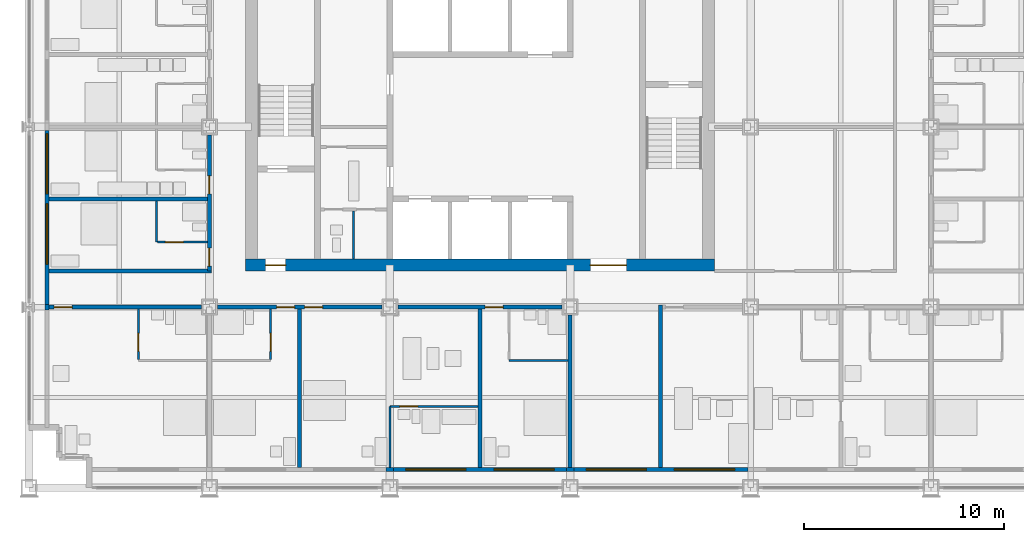
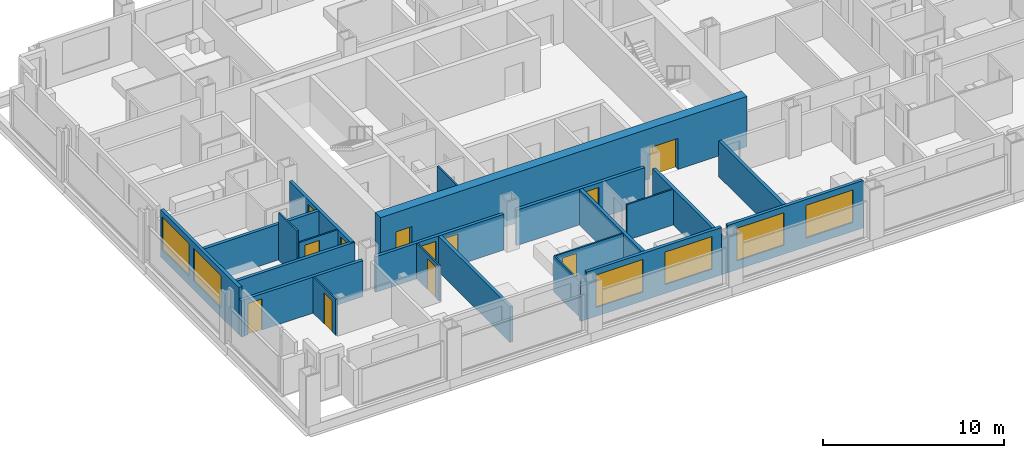
# One storey, part 10 of 18: 25 walls, 12 doors, 6 windows, 18 openings.
"""IFC4 building model written with IfcOpenShell, lengths in metres."""

from ifc_helpers import new_model, si_unit, direction, frame, frame_2d, origin, place, context, subcontext, project, spatial, rectangle, extrude, material, layer, layer_set, type_object, element, fill, save


model = new_model("IFC4")

# Units and contexts
model_context = context("Model", 3, precision=1e-05, world=origin(), true_north=direction((0.0, 1.0)))
body_context = subcontext(model_context, "Body", "Model", "MODEL_VIEW")
ifc_project = project(units=[si_unit("LENGTHUNIT", "METRE"), si_unit("AREAUNIT", "SQUARE_METRE"), si_unit("VOLUMEUNIT", "CUBIC_METRE"), si_unit("PLANEANGLEUNIT", "RADIAN"), si_unit("MASSUNIT", "GRAM", prefix="KILO")], contexts=[model_context])

# Site, building, storey
site_placement = place(None, origin())
site = spatial("IfcSite", under=ifc_project, at=site_placement, CompositionType="ELEMENT")
building_placement = place(site_placement, origin())
building = spatial("IfcBuilding", under=site, at=building_placement, Name="Loomwork Tower", CompositionType="ELEMENT")
storey_placement = place(building_placement, frame((0.0, 0.0, 55.199951171875)))
storey = spatial("IfcBuildingStorey", under=building, at=storey_placement, Name="L13", CompositionType="ELEMENT", Elevation=55.199951171875)

# Wall, openings, doors
ifc_material_1 = material(Name="Concrete 14000 psi (97 MPa)", Category="concrete")
ifc_layer_1 = layer(ifc_material_1, 0.60009765625)
ifc_layer_set_1 = layer_set([ifc_layer_1], Name="Core shear wall 600")
wall_type_1 = type_object("IfcWallType", Name="Core shear wall 600", PredefinedType="SHEAR", material=ifc_layer_set_1)
wall_1_placement = place(storey_placement, frame((10.800048828125, 11.10009765625, 0.0), z_axis=(0.0, 0.0, 1.0), x_axis=(1.0, 0.0, 0.0)))
wall_1 = element("IfcWall", 1, at=wall_1_placement, inside=storey, type_object=wall_type_1, Name="Core wall south L13", PredefinedType="SHEAR", context=body_context, shape_type="SweptSolid", body=[
    extrude(rectangle(XDim=23.39990234375, YDim=0.60009765625, at=frame_2d((11.699951171875, 0.0))), origin(), (0.0, 0.0, 1.0), 3.400146484375),
])
opening_1_placement = place(wall_1_placement, frame((1.0, 0.0, 0.0)))
opening_1 = element("IfcOpeningElement", 2, at=opening_1_placement, cuts=wall_1, Name="Opening D4", PredefinedType="OPENING", context=body_context, shape_type="SweptSolid", body=[
    extrude(rectangle(XDim=1.0, YDim=2.10009765625, at=frame_2d((0.5, 1.050048828125))), frame((0.0, 0.31005859375, 0.0), z_axis=(0.0, -1.0, 0.0), x_axis=(1.0, 0.0, 0.0)), (0.0, 0.0, 1.0), 0.6201171875),
])
opening_2_placement = place(wall_1_placement, frame((17.199951171875, 0.0, 0.0)))
opening_2 = element("IfcOpeningElement", 3, at=opening_2_placement, cuts=wall_1, Name="Opening D6", PredefinedType="OPENING", context=body_context, shape_type="SweptSolid", body=[
    extrude(rectangle(XDim=1.800048828125, YDim=2.10009765625, at=frame_2d((0.89990234375, 1.050048828125))), frame((0.0, 0.31005859375, 0.0), z_axis=(0.0, -1.0, 0.0), x_axis=(1.0, 0.0, 0.0)), (0.0, 0.0, 1.0), 0.6201171875),
])
ifc_material_2 = material(Name="Hollow metal door and frame")
door_type_1 = type_object("IfcDoorType", Name="Lobby passage double door 1800", OperationType="DOUBLE_DOOR_SINGLE_SWING", PredefinedType="DOOR", material=ifc_material_2)
door_1_placement = place(opening_2_placement, origin())
door_1 = element("IfcDoor", 4, at=door_1_placement, inside=storey, type_object=door_type_1, Name="Lobby passage door south", OperationType="DOUBLE_DOOR_SINGLE_SWING", OverallHeight=2.10009765625, OverallWidth=1.800048828125, PredefinedType="DOOR", context=body_context, shape_type="SweptSolid", body=[
    extrude(rectangle(XDim=1.800048828125, YDim=2.10009765625, at=frame_2d((0.89990234375, 1.050048828125))), frame((0.0, 0.02490234375, 0.0), z_axis=(0.0, -1.0, 0.0), x_axis=(1.0, 0.0, 0.0)), (0.0, 0.0, 1.0), 0.050048828125),
])
fill(opening_2, door_1)
ifc_material_3 = material(Name="Hollow metal door and frame")
door_type_2 = type_object("IfcDoorType", Name="Stair door 1000", OperationType="SINGLE_SWING_RIGHT", PredefinedType="DOOR", material=ifc_material_3)
door_2_placement = place(opening_1_placement, origin())
door_2 = element("IfcDoor", 5, at=door_2_placement, inside=storey, type_object=door_type_2, Name="Stair A vestibule door", OperationType="SINGLE_SWING_LEFT", OverallHeight=2.10009765625, OverallWidth=1.0, PredefinedType="DOOR", context=body_context, shape_type="SweptSolid", body=[
    extrude(rectangle(XDim=1.0, YDim=2.10009765625, at=frame_2d((0.5, 1.050048828125))), frame((0.0, 0.02490234375, 0.0), z_axis=(0.0, -1.0, 0.0), x_axis=(1.0, 0.0, 0.0)), (0.0, 0.0, 1.0), 0.050048828125),
])
fill(opening_1, door_2)

# Wall, opening, door
ifc_material_4 = material(Name="Gypsum board on steel studs, one-hour", Category="steel")
ifc_layer_2 = layer(ifc_material_4, 0.199951171875)
ifc_layer_set_2 = layer_set([ifc_layer_2], Name="Corridor wall 200")
wall_type_2 = type_object("IfcWallType", Name="Corridor wall 200", PredefinedType="PARTITIONING", material=ifc_layer_set_2)
wall_2_placement = place(storey_placement, frame((1.0, 9.0, 0.0), z_axis=(0.0, 0.0, 1.0), x_axis=(1.0, 0.0, 0.0)))
wall_2 = element("IfcWall", 6, at=wall_2_placement, inside=storey, type_object=wall_type_2, Name="South corridor wall 1", PredefinedType="PARTITIONING", context=body_context, shape_type="SweptSolid", body=[
    extrude(rectangle(XDim=7.60009765625, YDim=0.199951171875, at=frame_2d((3.800048828125, 0.0))), origin(), (0.0, 0.0, 1.0), 2.43798828125),
])
opening_3_placement = place(wall_2_placement, frame((0.25, 0.0, 0.0)))
opening_3 = element("IfcOpeningElement", 7, at=opening_3_placement, cuts=wall_2, Name="Opening D1", PredefinedType="OPENING", context=body_context, shape_type="SweptSolid", body=[
    extrude(rectangle(XDim=0.89990234375, YDim=2.10009765625, at=frame_2d((0.449951171875, 1.050048828125))), frame((0.0, 0.10986328125, 0.0), z_axis=(0.0, -1.0, 0.0), x_axis=(1.0, 0.0, 0.0)), (0.0, 0.0, 1.0), 0.219970703125),
])
ifc_material_5 = material(Name="Hollow metal door and frame")
door_type_3 = type_object("IfcDoorType", Name="Guest room entry door 900", OperationType="SINGLE_SWING_LEFT", PredefinedType="DOOR", material=ifc_material_5)
door_3_placement = place(opening_3_placement, frame((0.89990234375, 0.0, 0.0), z_axis=(0.0, 0.0, 1.0), x_axis=(-1.0, 0.0, 0.0)))
door_3 = element("IfcDoor", 8, at=door_3_placement, inside=storey, type_object=door_type_3, Name="Guest room entry door L13 1", OperationType="SINGLE_SWING_RIGHT", OverallHeight=2.10009765625, OverallWidth=0.89990234375, PredefinedType="DOOR", context=body_context, shape_type="SweptSolid", body=[
    extrude(rectangle(XDim=0.89990234375, YDim=2.10009765625, at=frame_2d((0.449951171875, 1.050048828125))), frame((0.0, 0.02490234375, 0.0), z_axis=(0.0, -1.0, 0.0), x_axis=(1.0, 0.0, 0.0)), (0.0, 0.0, 1.0), 0.050048828125),
])
fill(opening_3, door_3)

# Wall, openings, doors
wall_3_placement = place(storey_placement, frame((9.39990234375, 9.0, 0.0), z_axis=(0.0, 0.0, 1.0), x_axis=(1.0, 0.0, 0.0)))
wall_3 = element("IfcWall", 9, at=wall_3_placement, inside=storey, type_object=wall_type_2, Name="South corridor wall 2", PredefinedType="PARTITIONING", context=body_context, shape_type="SweptSolid", body=[
    extrude(rectangle(XDim=8.2001953125, YDim=0.199951171875, at=frame_2d((4.10009765625, 0.0))), origin(), (0.0, 0.0, 1.0), 2.405029296875),
])
opening_4_placement = place(wall_3_placement, frame((2.949951171875, 0.0, 0.0)))
opening_4 = element("IfcOpeningElement", 10, at=opening_4_placement, cuts=wall_3, Name="Opening D1", PredefinedType="OPENING", context=body_context, shape_type="SweptSolid", body=[
    extrude(rectangle(XDim=0.89990234375, YDim=2.10009765625, at=frame_2d((0.449951171875, 1.050048828125))), frame((0.0, 0.10986328125, 0.0), z_axis=(0.0, -1.0, 0.0), x_axis=(1.0, 0.0, 0.0)), (0.0, 0.0, 1.0), 0.219970703125),
])
opening_5_placement = place(wall_3_placement, frame((4.35009765625, 0.0, 0.0)))
opening_5 = element("IfcOpeningElement", 11, at=opening_5_placement, cuts=wall_3, Name="Opening D1", PredefinedType="OPENING", context=body_context, shape_type="SweptSolid", body=[
    extrude(rectangle(XDim=0.89990234375, YDim=2.10009765625, at=frame_2d((0.449951171875, 1.050048828125))), frame((0.0, 0.10986328125, 0.0), z_axis=(0.0, -1.0, 0.0), x_axis=(1.0, 0.0, 0.0)), (0.0, 0.0, 1.0), 0.219970703125),
])
door_4_placement = place(opening_4_placement, frame((0.89990234375, 0.0, 0.0), z_axis=(0.0, 0.0, 1.0), x_axis=(-1.0, 0.0, 0.0)))
door_4 = element("IfcDoor", 12, at=door_4_placement, inside=storey, type_object=door_type_3, Name="Guest room entry door L13 2", OperationType="SINGLE_SWING_LEFT", OverallHeight=2.10009765625, OverallWidth=0.89990234375, PredefinedType="DOOR", context=body_context, shape_type="SweptSolid", body=[
    extrude(rectangle(XDim=0.89990234375, YDim=2.10009765625, at=frame_2d((0.449951171875, 1.050048828125))), frame((0.0, 0.02490234375, 0.0), z_axis=(0.0, -1.0, 0.0), x_axis=(1.0, 0.0, 0.0)), (0.0, 0.0, 1.0), 0.050048828125),
])
fill(opening_4, door_4)
door_5_placement = place(opening_5_placement, frame((0.89990234375, 0.0, 0.0), z_axis=(0.0, 0.0, 1.0), x_axis=(-1.0, 0.0, 0.0)))
door_5 = element("IfcDoor", 13, at=door_5_placement, inside=storey, type_object=door_type_3, Name="Guest room entry door L13 3", OperationType="SINGLE_SWING_RIGHT", OverallHeight=2.10009765625, OverallWidth=0.89990234375, PredefinedType="DOOR", context=body_context, shape_type="SweptSolid", body=[
    extrude(rectangle(XDim=0.89990234375, YDim=2.10009765625, at=frame_2d((0.449951171875, 1.050048828125))), frame((0.0, 0.02490234375, 0.0), z_axis=(0.0, -1.0, 0.0), x_axis=(1.0, 0.0, 0.0)), (0.0, 0.0, 1.0), 0.050048828125),
])
fill(opening_5, door_5)

# Wall, opening, door
wall_4_placement = place(storey_placement, frame((18.39990234375, 9.0, 0.0), z_axis=(0.0, 0.0, 1.0), x_axis=(1.0, 0.0, 0.0)))
wall_4 = element("IfcWall", 14, at=wall_4_placement, inside=storey, type_object=wall_type_2, Name="South corridor wall 3", PredefinedType="PARTITIONING", context=body_context, shape_type="SweptSolid", body=[
    extrude(rectangle(XDim=8.2001953125, YDim=0.199951171875, at=frame_2d((4.10009765625, 0.0))), origin(), (0.0, 0.0, 1.0), 2.405029296875),
])
opening_6_placement = place(wall_4_placement, frame((4.35009765625, 0.0, 0.0)))
opening_6 = element("IfcOpeningElement", 15, at=opening_6_placement, cuts=wall_4, Name="Opening D1", PredefinedType="OPENING", context=body_context, shape_type="SweptSolid", body=[
    extrude(rectangle(XDim=0.89990234375, YDim=2.10009765625, at=frame_2d((0.449951171875, 1.050048828125))), frame((0.0, 0.10986328125, 0.0), z_axis=(0.0, -1.0, 0.0), x_axis=(1.0, 0.0, 0.0)), (0.0, 0.0, 1.0), 0.219970703125),
])
door_6_placement = place(opening_6_placement, frame((0.89990234375, 0.0, 0.0), z_axis=(0.0, 0.0, 1.0), x_axis=(-1.0, 0.0, 0.0)))
door_6 = element("IfcDoor", 16, at=door_6_placement, inside=storey, type_object=door_type_3, Name="Guest room entry door L13 4", OperationType="SINGLE_SWING_RIGHT", OverallHeight=2.10009765625, OverallWidth=0.89990234375, PredefinedType="DOOR", context=body_context, shape_type="SweptSolid", body=[
    extrude(rectangle(XDim=0.89990234375, YDim=2.10009765625, at=frame_2d((0.449951171875, 1.050048828125))), frame((0.0, 0.02490234375, 0.0), z_axis=(0.0, -1.0, 0.0), x_axis=(1.0, 0.0, 0.0)), (0.0, 0.0, 1.0), 0.050048828125),
])
fill(opening_6, door_6)

# Wall, openings, doors
wall_5_placement = place(storey_placement, frame((9.0, 10.800048828125, 0.0), z_axis=(0.0, 0.0, 1.0), x_axis=(0.0, 1.0, 0.0)))
wall_5 = element("IfcWall", 17, at=wall_5_placement, inside=storey, type_object=wall_type_2, Name="West corridor wall 1", PredefinedType="PARTITIONING", context=body_context, shape_type="SweptSolid", body=[
    extrude(rectangle(XDim=6.800048828125, YDim=0.199951171875, at=frame_2d((3.39990234375, 0.0))), origin(), (0.0, 0.0, 1.0), 2.405029296875),
])
opening_7_placement = place(wall_5_placement, frame((0.25, 0.0, 0.0)))
opening_7 = element("IfcOpeningElement", 18, at=opening_7_placement, cuts=wall_5, Name="Opening D1", PredefinedType="OPENING", context=body_context, shape_type="SweptSolid", body=[
    extrude(rectangle(XDim=0.89990234375, YDim=2.10009765625, at=frame_2d((0.449951171875, 1.050048828125))), frame((0.0, 0.10986328125, 0.0), z_axis=(0.0, -1.0, 0.0), x_axis=(1.0, 0.0, 0.0)), (0.0, 0.0, 1.0), 0.219970703125),
])
opening_8_placement = place(wall_5_placement, frame((3.85009765625, 0.0, 0.0)))
opening_8 = element("IfcOpeningElement", 19, at=opening_8_placement, cuts=wall_5, Name="Opening D1", PredefinedType="OPENING", context=body_context, shape_type="SweptSolid", body=[
    extrude(rectangle(XDim=0.89990234375, YDim=2.10009765625, at=frame_2d((0.449951171875, 1.050048828125))), frame((0.0, 0.10986328125, 0.0), z_axis=(0.0, -1.0, 0.0), x_axis=(1.0, 0.0, 0.0)), (0.0, 0.0, 1.0), 0.219970703125),
])
door_7_placement = place(opening_7_placement, origin())
door_7 = element("IfcDoor", 20, at=door_7_placement, inside=storey, type_object=door_type_3, Name="Guest room entry door L13 15", OperationType="SINGLE_SWING_LEFT", OverallHeight=2.10009765625, OverallWidth=0.89990234375, PredefinedType="DOOR", context=body_context, shape_type="SweptSolid", body=[
    extrude(rectangle(XDim=0.89990234375, YDim=2.10009765625, at=frame_2d((0.449951171875, 1.050048828125))), frame((0.0, 0.02490234375, 0.0), z_axis=(0.0, -1.0, 0.0), x_axis=(1.0, 0.0, 0.0)), (0.0, 0.0, 1.0), 0.050048828125),
])
fill(opening_7, door_7)
door_8_placement = place(opening_8_placement, origin())
door_8 = element("IfcDoor", 21, at=door_8_placement, inside=storey, type_object=door_type_3, Name="Guest room entry door L13 16", OperationType="SINGLE_SWING_LEFT", OverallHeight=2.10009765625, OverallWidth=0.89990234375, PredefinedType="DOOR", context=body_context, shape_type="SweptSolid", body=[
    extrude(rectangle(XDim=0.89990234375, YDim=2.10009765625, at=frame_2d((0.449951171875, 1.050048828125))), frame((0.0, 0.02490234375, 0.0), z_axis=(0.0, -1.0, 0.0), x_axis=(1.0, 0.0, 0.0)), (0.0, 0.0, 1.0), 0.050048828125),
])
fill(opening_8, door_8)

# Wall
wall_6_placement = place(storey_placement, frame((1.0, 10.800048828125, 0.0), z_axis=(0.0, 0.0, 1.0), x_axis=(1.0, 0.0, 0.0)))
element("IfcWall", 22, at=wall_6_placement, inside=storey, type_object=wall_type_2, Name="West band end wall S", PredefinedType="PARTITIONING", context=body_context, shape_type="SweptSolid", body=[
    extrude(rectangle(XDim=8.10009765625, YDim=0.199951171875, at=frame_2d((4.050048828125, 0.0))), origin(), (0.0, 0.0, 1.0), 2.404052734375),
])

# Wall, opening, door
ifc_material_6 = material(Name="Cement board on steel studs", Category="steel")
ifc_layer_3 = layer(ifc_material_6, 0.10009765625)
ifc_layer_set_3 = layer_set([ifc_layer_3], Name="En-suite partition 100")
wall_type_3 = type_object("IfcWallType", Name="En-suite partition 100", PredefinedType="PARTITIONING", material=ifc_layer_set_3)
wall_7_placement = place(storey_placement, frame((5.449951171875, 8.89990234375, 0.0), z_axis=(0.0, 0.0, 1.0), x_axis=(0.0, -1.0, 0.0)))
wall_7 = element("IfcWall", 23, at=wall_7_placement, inside=storey, type_object=wall_type_3, Name="En-suite side wall L13 room 1", PredefinedType="PARTITIONING", context=body_context, shape_type="SweptSolid", body=[
    extrude(rectangle(XDim=2.5, YDim=0.10009765625, at=frame_2d((1.25, 0.0))), origin(), (0.0, 0.0, 1.0), 2.43798828125),
])
opening_9_placement = place(wall_7_placement, frame((1.199951171875, 0.0, 0.0)))
opening_9 = element("IfcOpeningElement", 24, at=opening_9_placement, cuts=wall_7, Name="Opening D3", PredefinedType="OPENING", context=body_context, shape_type="SweptSolid", body=[
    extrude(rectangle(XDim=0.89990234375, YDim=2.10009765625, at=frame_2d((0.449951171875, 1.050048828125))), frame((0.0, 0.06005859375, 0.0), z_axis=(0.0, -1.0, 0.0), x_axis=(1.0, 0.0, 0.0)), (0.0, 0.0, 1.0), 0.1201171875),
])
ifc_material_7 = material(Name="Hollow metal door and frame")
door_type_4 = type_object("IfcDoorType", Name="Accessible en-suite door 900", OperationType="SLIDING_TO_LEFT", PredefinedType="DOOR", material=ifc_material_7)
door_9_placement = place(opening_9_placement, origin())
door_9 = element("IfcDoor", 25, at=door_9_placement, inside=storey, type_object=door_type_4, Name="Accessible en-suite door room 1", OperationType="SLIDING_TO_LEFT", OverallHeight=2.10009765625, OverallWidth=0.89990234375, PredefinedType="DOOR", context=body_context, shape_type="SweptSolid", body=[
    extrude(rectangle(XDim=0.89990234375, YDim=2.10009765625, at=frame_2d((0.449951171875, 1.050048828125))), frame((0.0, 0.02490234375, 0.0), z_axis=(0.0, -1.0, 0.0), x_axis=(1.0, 0.0, 0.0)), (0.0, 0.0, 1.0), 0.050048828125),
])
fill(opening_9, door_9)

wall_8_placement = place(storey_placement, frame((12.050048828125, 8.89990234375, 0.0), z_axis=(0.0, 0.0, 1.0), x_axis=(0.0, -1.0, 0.0)))
wall_8 = element("IfcWall", 26, at=wall_8_placement, inside=storey, type_object=wall_type_3, Name="En-suite side wall L13 room 2", PredefinedType="PARTITIONING", context=body_context, shape_type="SweptSolid", body=[
    extrude(rectangle(XDim=2.5, YDim=0.10009765625, at=frame_2d((1.25, 0.0))), origin(), (0.0, 0.0, 1.0), 2.404052734375),
])
opening_10_placement = place(wall_8_placement, frame((1.199951171875, 0.0, 0.0)))
opening_10 = element("IfcOpeningElement", 27, at=opening_10_placement, cuts=wall_8, Name="Opening D3", PredefinedType="OPENING", context=body_context, shape_type="SweptSolid", body=[
    extrude(rectangle(XDim=0.89990234375, YDim=2.10009765625, at=frame_2d((0.449951171875, 1.050048828125))), frame((0.0, 0.06005859375, 0.0), z_axis=(0.0, -1.0, 0.0), x_axis=(1.0, 0.0, 0.0)), (0.0, 0.0, 1.0), 0.1201171875),
])
door_10_placement = place(opening_10_placement, origin())
door_10 = element("IfcDoor", 28, at=door_10_placement, inside=storey, type_object=door_type_4, Name="Accessible en-suite door room 2", OperationType="SLIDING_TO_LEFT", OverallHeight=2.10009765625, OverallWidth=0.89990234375, PredefinedType="DOOR", context=body_context, shape_type="SweptSolid", body=[
    extrude(rectangle(XDim=0.89990234375, YDim=2.10009765625, at=frame_2d((0.449951171875, 1.050048828125))), frame((0.0, 0.02490234375, 0.0), z_axis=(0.0, -1.0, 0.0), x_axis=(1.0, 0.0, 0.0)), (0.0, 0.0, 1.0), 0.050048828125),
])
fill(opening_10, door_10)

wall_9_placement = place(storey_placement, frame((18.0, 4.050048828125, 0.0), z_axis=(0.0, 0.0, 1.0), x_axis=(1.0, 0.0, 0.0)))
wall_9 = element("IfcWall", 29, at=wall_9_placement, inside=storey, type_object=wall_type_3, Name="Spa bathroom wall L13 room 3", PredefinedType="PARTITIONING", context=body_context, shape_type="SweptSolid", body=[
    extrude(rectangle(XDim=4.39990234375, YDim=0.10009765625, at=frame_2d((2.199951171875, 0.0))), origin(), (0.0, 0.0, 1.0), 2.404052734375),
])
opening_11_placement = place(wall_9_placement, frame((0.5, 0.0, 0.0)))
opening_11 = element("IfcOpeningElement", 30, at=opening_11_placement, cuts=wall_9, Name="Opening D2", PredefinedType="OPENING", context=body_context, shape_type="SweptSolid", body=[
    extrude(rectangle(XDim=0.89990234375, YDim=2.10009765625, at=frame_2d((0.449951171875, 1.050048828125))), frame((0.0, 0.06005859375, 0.0), z_axis=(0.0, -1.0, 0.0), x_axis=(1.0, 0.0, 0.0)), (0.0, 0.0, 1.0), 0.1201171875),
])
ifc_material_8 = material(Name="Hollow metal door and frame")
door_type_5 = type_object("IfcDoorType", Name="En-suite door 900", OperationType="SINGLE_SWING_LEFT", PredefinedType="DOOR", material=ifc_material_8)
door_11_placement = place(opening_11_placement, frame((0.89990234375, 0.0, 0.0), z_axis=(0.0, 0.0, 1.0), x_axis=(-1.0, 0.0, 0.0)))
door_11 = element("IfcDoor", 31, at=door_11_placement, inside=storey, type_object=door_type_5, Name="Spa bathroom door room 3", OperationType="SINGLE_SWING_RIGHT", OverallHeight=2.10009765625, OverallWidth=0.89990234375, PredefinedType="DOOR", context=body_context, shape_type="SweptSolid", body=[
    extrude(rectangle(XDim=0.89990234375, YDim=2.10009765625, at=frame_2d((0.449951171875, 1.050048828125))), frame((0.0, 0.02490234375, 0.0), z_axis=(0.0, -1.0, 0.0), x_axis=(1.0, 0.0, 0.0)), (0.0, 0.0, 1.0), 0.050048828125),
])
fill(opening_11, door_11)

# Walls
wall_10_placement = place(storey_placement, frame((18.0, 4.050048828125, 0.0), z_axis=(0.0, 0.0, 1.0), x_axis=(0.0, -1.0, 0.0)))
element("IfcWall", 32, at=wall_10_placement, inside=storey, type_object=wall_type_3, Name="Spa bathroom side wall L13 room 3", PredefinedType="PARTITIONING", context=body_context, shape_type="SweptSolid", body=[
    extrude(rectangle(XDim=3.050048828125, YDim=0.10009765625, at=frame_2d((1.52490234375, 0.0))), origin(), (0.0, 0.0, 1.0), 2.405029296875),
])
wall_11_placement = place(storey_placement, frame((23.949951171875, 6.35009765625, 0.0), z_axis=(0.0, 0.0, 1.0), x_axis=(1.0, 0.0, 0.0)))
element("IfcWall", 33, at=wall_11_placement, inside=storey, type_object=wall_type_3, Name="En-suite wall L13 room 4", PredefinedType="PARTITIONING", context=body_context, shape_type="SweptSolid", body=[
    extrude(rectangle(XDim=2.949951171875, YDim=0.10009765625, at=frame_2d((1.47509765625, 0.0))), origin(), (0.0, 0.0, 1.0), 2.404052734375),
])
wall_12_placement = place(storey_placement, frame((6.35009765625, 12.25, 0.0), z_axis=(0.0, 0.0, 1.0), x_axis=(0.0, 1.0, 0.0)))
element("IfcWall", 34, at=wall_12_placement, inside=storey, type_object=wall_type_3, Name="En-suite wall L13 room 15", PredefinedType="PARTITIONING", context=body_context, shape_type="SweptSolid", body=[
    extrude(rectangle(XDim=2.050048828125, YDim=0.10009765625, at=frame_2d((1.02490234375, 0.0))), origin(), (0.0, 0.0, 1.0), 3.199951171875),
])

# Wall, opening, door
wall_13_placement = place(storey_placement, frame((8.89990234375, 12.25, 0.0), z_axis=(0.0, 0.0, 1.0), x_axis=(-1.0, 0.0, 0.0)))
wall_13 = element("IfcWall", 35, at=wall_13_placement, inside=storey, type_object=wall_type_3, Name="En-suite side wall L13 room 15", PredefinedType="PARTITIONING", context=body_context, shape_type="SweptSolid", body=[
    extrude(rectangle(XDim=2.5, YDim=0.10009765625, at=frame_2d((1.25, 0.0))), origin(), (0.0, 0.0, 1.0), 2.404052734375),
])
opening_12_placement = place(wall_13_placement, frame((1.199951171875, 0.0, 0.0)))
opening_12 = element("IfcOpeningElement", 36, at=opening_12_placement, cuts=wall_13, Name="Opening D2", PredefinedType="OPENING", context=body_context, shape_type="SweptSolid", body=[
    extrude(rectangle(XDim=0.89990234375, YDim=2.10009765625, at=frame_2d((0.449951171875, 1.050048828125))), frame((0.0, 0.06005859375, 0.0), z_axis=(0.0, -1.0, 0.0), x_axis=(1.0, 0.0, 0.0)), (0.0, 0.0, 1.0), 0.1201171875),
])
door_12_placement = place(opening_12_placement, frame((0.89990234375, 0.0, 0.0), z_axis=(0.0, 0.0, 1.0), x_axis=(-1.0, 0.0, 0.0)))
door_12 = element("IfcDoor", 37, at=door_12_placement, inside=storey, type_object=door_type_5, Name="En-suite door room 15", OperationType="SINGLE_SWING_LEFT", OverallHeight=2.10009765625, OverallWidth=0.89990234375, PredefinedType="DOOR", context=body_context, shape_type="SweptSolid", body=[
    extrude(rectangle(XDim=0.89990234375, YDim=2.10009765625, at=frame_2d((0.449951171875, 1.050048828125))), frame((0.0, 0.02490234375, 0.0), z_axis=(0.0, -1.0, 0.0), x_axis=(1.0, 0.0, 0.0)), (0.0, 0.0, 1.0), 0.050048828125),
])
fill(opening_12, door_12)

# Walls
wall_14_placement = place(storey_placement, frame((16.199951171875, 11.39990234375, 0.0), z_axis=(0.0, 0.0, 1.0), x_axis=(0.0, 1.0, 0.0)))
element("IfcWall", 38, at=wall_14_placement, inside=storey, type_object=wall_type_3, Name="Back-of-house partition L13 2", PredefinedType="PARTITIONING", context=body_context, shape_type="SweptSolid", body=[
    extrude(rectangle(XDim=2.400146484375, YDim=0.10009765625, at=frame_2d((1.2001953125, 0.0))), origin(), (0.0, 0.0, 1.0), 3.199951171875),
])
ifc_material_9 = material(Name="Gypsum board on steel studs, acoustic", Category="steel")
ifc_layer_4 = layer(ifc_material_9, 0.199951171875)
ifc_layer_set_4 = layer_set([ifc_layer_4], Name="Guest room party wall 200")
wall_type_4 = type_object("IfcWallType", Name="Guest room party wall 200", PredefinedType="PARTITIONING", material=ifc_layer_set_4)
for number, where, z_axis, x_axis, name in (
    (39, (13.5, 8.89990234375, 0.0), (0.0, 0.0, 1.0), (0.0, -1.0, 0.0), "Guest room party wall S 13.5"),
    (40, (22.5, 8.89990234375, 0.0), (0.0, 0.0, 1.0), (0.0, -1.0, 0.0), "Guest room party wall S 22.5"),
):
    element("IfcWall", number, at=place(storey_placement, frame(where, z_axis=z_axis, x_axis=x_axis)), inside=storey, type_object=wall_type_4, Name=name, PredefinedType="PARTITIONING", context=body_context, shape_type="SweptSolid", body=[
        extrude(rectangle(XDim=7.89990234375, YDim=0.199951171875, at=frame_2d((3.949951171875, 0.0))), origin(), (0.0, 0.0, 1.0), 2.404052734375),
    ])
wall_15_placement = place(storey_placement, frame((27.0, 8.60009765625, 0.0), z_axis=(0.0, 0.0, 1.0), x_axis=(0.0, -1.0, 0.0)))
element("IfcWall", 41, at=wall_15_placement, inside=storey, type_object=wall_type_4, Name="Guest room party wall S 27", PredefinedType="PARTITIONING", context=body_context, shape_type="SweptSolid", body=[
    extrude(rectangle(XDim=7.60009765625, YDim=0.199951171875, at=frame_2d((3.800048828125, 0.0))), origin(), (0.0, 0.0, 1.0), 2.405029296875),
])
wall_16_placement = place(storey_placement, frame((31.5, 9.10009765625, 0.0), z_axis=(0.0, 0.0, 1.0), x_axis=(0.0, -1.0, 0.0)))
element("IfcWall", 42, at=wall_16_placement, inside=storey, type_object=wall_type_4, Name="Guest room party wall S 31.5", PredefinedType="PARTITIONING", context=body_context, shape_type="SweptSolid", body=[
    extrude(rectangle(XDim=8.10009765625, YDim=0.199951171875, at=frame_2d((4.050048828125, 0.0))), origin(), (0.0, 0.0, 1.0), 2.404052734375),
])
wall_17_placement = place(storey_placement, frame((8.89990234375, 14.39990234375, 0.0), z_axis=(0.0, 0.0, 1.0), x_axis=(-1.0, 0.0, 0.0)))
element("IfcWall", 43, at=wall_17_placement, inside=storey, type_object=wall_type_4, Name="Guest room party wall W 14.4", PredefinedType="PARTITIONING", context=body_context, shape_type="SweptSolid", body=[
    extrude(rectangle(XDim=7.89990234375, YDim=0.199951171875, at=frame_2d((3.949951171875, 0.0))), origin(), (0.0, 0.0, 1.0), 2.404052734375),
])
ifc_material_10 = material(Name="Insulated steel stud wall with gypsum lining", Category="steel")
ifc_layer_5 = layer(ifc_material_10, 0.199951171875)
ifc_layer_set_5 = layer_set([ifc_layer_5], Name="Inner skin wall 200")
wall_type_5 = type_object("IfcWallType", Name="Inner skin wall 200", PredefinedType="SOLIDWALL", material=ifc_layer_set_5)
wall_18_placement = place(storey_placement, frame((17.80615234375, 0.89990234375, 0.0), z_axis=(0.0, 0.0, 1.0), x_axis=(1.0, 0.0, 0.0)))
element("IfcWall", 44, at=wall_18_placement, inside=storey, type_object=wall_type_5, Name="Inner skin wall S bay 4", PredefinedType="SOLIDWALL", context=body_context, shape_type="SweptSolid", body=[
    extrude(rectangle(XDim=0.3876953125, YDim=0.199951171875, at=frame_2d((0.19384765625, 0.0))), origin(), (0.0, 0.0, 1.0), 2.404052734375),
])

# Wall, openings, windows
wall_19_placement = place(storey_placement, frame((18.19384765625, 0.89990234375, 0.0), z_axis=(0.0, 0.0, 1.0), x_axis=(1.0, 0.0, 0.0)))
wall_19 = element("IfcWall", 45, at=wall_19_placement, inside=storey, type_object=wall_type_5, Name="Inner skin wall S bay 5", PredefinedType="SOLIDWALL", context=body_context, shape_type="SweptSolid", body=[
    extrude(rectangle(XDim=8.6123046875, YDim=0.199951171875, at=frame_2d((4.30615234375, 0.0))), origin(), (0.0, 0.0, 1.0), 3.199951171875),
])
opening_13_placement = place(wall_19_placement, frame((0.606201171875, 0.0, 0.60009765625)))
opening_13 = element("IfcOpeningElement", 46, at=opening_13_placement, cuts=wall_19, Name="Opening CH1", PredefinedType="OPENING", context=body_context, shape_type="SweptSolid", body=[
    extrude(rectangle(XDim=3.0, YDim=2.199951171875, at=frame_2d((1.5, 1.10009765625))), frame((0.0, 0.10986328125, 0.0), z_axis=(0.0, -1.0, 0.0), x_axis=(1.0, 0.0, 0.0)), (0.0, 0.0, 1.0), 0.219970703125),
])
opening_14_placement = place(wall_19_placement, frame((5.006103515625, 0.0, 0.60009765625)))
opening_14 = element("IfcOpeningElement", 47, at=opening_14_placement, cuts=wall_19, Name="Opening CH1", PredefinedType="OPENING", context=body_context, shape_type="SweptSolid", body=[
    extrude(rectangle(XDim=3.0, YDim=2.199951171875, at=frame_2d((1.5, 1.10009765625))), frame((0.0, 0.10986328125, 0.0), z_axis=(0.0, -1.0, 0.0), x_axis=(1.0, 0.0, 0.0)), (0.0, 0.0, 1.0), 0.219970703125),
])
ifc_material_11 = material(Name="Aluminium frame with clear insulated glass", Category="aluminium")
window_type = type_object("IfcWindowType", Name="Chicago window 3000", PartitioningType="TRIPLE_PANEL_VERTICAL", PredefinedType="WINDOW", material=ifc_material_11)
window_1_placement = place(opening_13_placement, origin())
window_1 = element("IfcWindow", 48, at=window_1_placement, inside=storey, type_object=window_type, Name="Chicago window L13 bay 3", OverallHeight=2.199951171875, OverallWidth=3.0, PartitioningType="TRIPLE_PANEL_VERTICAL", PredefinedType="WINDOW", context=body_context, shape_type="SweptSolid", body=[
    extrude(rectangle(XDim=3.0, YDim=2.199951171875, at=frame_2d((1.5, 1.10009765625))), frame((0.0, 0.030029296875, 0.0), z_axis=(0.0, -1.0, 0.0), x_axis=(1.0, 0.0, 0.0)), (0.0, 0.0, 1.0), 0.06005859375),
])
fill(opening_13, window_1)
window_2_placement = place(opening_14_placement, origin())
window_2 = element("IfcWindow", 49, at=window_2_placement, inside=storey, type_object=window_type, Name="Chicago window L13 bay 3", OverallHeight=2.199951171875, OverallWidth=3.0, PartitioningType="TRIPLE_PANEL_VERTICAL", PredefinedType="WINDOW", context=body_context, shape_type="SweptSolid", body=[
    extrude(rectangle(XDim=3.0, YDim=2.199951171875, at=frame_2d((1.5, 1.10009765625))), frame((0.0, 0.030029296875, 0.0), z_axis=(0.0, -1.0, 0.0), x_axis=(1.0, 0.0, 0.0)), (0.0, 0.0, 1.0), 0.06005859375),
])
fill(opening_14, window_2)

# Wall
wall_20_placement = place(storey_placement, frame((26.80615234375, 0.89990234375, 0.0), z_axis=(0.0, 0.0, 1.0), x_axis=(1.0, 0.0, 0.0)))
element("IfcWall", 50, at=wall_20_placement, inside=storey, type_object=wall_type_5, Name="Inner skin wall S bay 6", PredefinedType="SOLIDWALL", context=body_context, shape_type="SweptSolid", body=[
    extrude(rectangle(XDim=0.3876953125, YDim=0.199951171875, at=frame_2d((0.19384765625, 0.0))), origin(), (0.0, 0.0, 1.0), 2.404052734375),
])

# Wall, openings, windows
wall_21_placement = place(storey_placement, frame((27.19384765625, 0.89990234375, 0.0), z_axis=(0.0, 0.0, 1.0), x_axis=(1.0, 0.0, 0.0)))
wall_21 = element("IfcWall", 51, at=wall_21_placement, inside=storey, type_object=wall_type_5, Name="Inner skin wall S bay 7", PredefinedType="SOLIDWALL", context=body_context, shape_type="SweptSolid", body=[
    extrude(rectangle(XDim=8.670654296875, YDim=0.199951171875, at=frame_2d((4.33544921875, 0.0))), origin(), (0.0, 0.0, 1.0), 3.199951171875),
])
opening_15_placement = place(wall_21_placement, frame((0.606201171875, 0.0, 0.60009765625)))
opening_15 = element("IfcOpeningElement", 52, at=opening_15_placement, cuts=wall_21, Name="Opening CH1", PredefinedType="OPENING", context=body_context, shape_type="SweptSolid", body=[
    extrude(rectangle(XDim=3.0, YDim=2.199951171875, at=frame_2d((1.5, 1.10009765625))), frame((0.0, 0.10986328125, 0.0), z_axis=(0.0, -1.0, 0.0), x_axis=(1.0, 0.0, 0.0)), (0.0, 0.0, 1.0), 0.219970703125),
])
opening_16_placement = place(wall_21_placement, frame((5.006103515625, 0.0, 0.60009765625)))
opening_16 = element("IfcOpeningElement", 53, at=opening_16_placement, cuts=wall_21, Name="Opening CH1", PredefinedType="OPENING", context=body_context, shape_type="SweptSolid", body=[
    extrude(rectangle(XDim=3.0, YDim=2.199951171875, at=frame_2d((1.5, 1.10009765625))), frame((0.0, 0.10986328125, 0.0), z_axis=(0.0, -1.0, 0.0), x_axis=(1.0, 0.0, 0.0)), (0.0, 0.0, 1.0), 0.219970703125),
])
window_3_placement = place(opening_15_placement, origin())
window_3 = element("IfcWindow", 54, at=window_3_placement, inside=storey, type_object=window_type, Name="Chicago window L13 bay 4", OverallHeight=2.199951171875, OverallWidth=3.0, PartitioningType="TRIPLE_PANEL_VERTICAL", PredefinedType="WINDOW", context=body_context, shape_type="SweptSolid", body=[
    extrude(rectangle(XDim=3.0, YDim=2.199951171875, at=frame_2d((1.5, 1.10009765625))), frame((0.0, 0.030029296875, 0.0), z_axis=(0.0, -1.0, 0.0), x_axis=(1.0, 0.0, 0.0)), (0.0, 0.0, 1.0), 0.06005859375),
])
fill(opening_15, window_3)
window_4_placement = place(opening_16_placement, origin())
window_4 = element("IfcWindow", 55, at=window_4_placement, inside=storey, type_object=window_type, Name="Chicago window L13 bay 4", OverallHeight=2.199951171875, OverallWidth=3.0, PartitioningType="TRIPLE_PANEL_VERTICAL", PredefinedType="WINDOW", context=body_context, shape_type="SweptSolid", body=[
    extrude(rectangle(XDim=3.0, YDim=2.199951171875, at=frame_2d((1.5, 1.10009765625))), frame((0.0, 0.030029296875, 0.0), z_axis=(0.0, -1.0, 0.0), x_axis=(1.0, 0.0, 0.0)), (0.0, 0.0, 1.0), 0.06005859375),
])
fill(opening_16, window_4)

# Wall
wall_22_placement = place(storey_placement, frame((0.89990234375, 8.86474609375, 0.0), z_axis=(0.0, 0.0, 1.0), x_axis=(0.0, 1.0, 0.0)))
element("IfcWall", 56, at=wall_22_placement, inside=storey, type_object=wall_type_5, Name="Inner skin wall W bay 4", PredefinedType="SOLIDWALL", context=body_context, shape_type="SweptSolid", body=[
    extrude(rectangle(XDim=0.2705078125, YDim=0.199951171875, at=frame_2d((0.13525390625, 0.0))), origin(), (0.0, 0.0, 1.0), 2.43798828125),
])

# Wall, openings, windows
wall_23_placement = place(storey_placement, frame((0.89990234375, 9.13525390625, 0.0), z_axis=(0.0, 0.0, 1.0), x_axis=(0.0, 1.0, 0.0)))
wall_23 = element("IfcWall", 57, at=wall_23_placement, inside=storey, type_object=wall_type_5, Name="Inner skin wall W bay 5", PredefinedType="SOLIDWALL", context=body_context, shape_type="SweptSolid", body=[
    extrude(rectangle(XDim=8.6708984375, YDim=0.199951171875, at=frame_2d((4.33544921875, 0.0))), origin(), (0.0, 0.0, 1.0), 3.199951171875),
])
opening_17_placement = place(wall_23_placement, frame((2.0146484375, 0.0, 0.60009765625)))
opening_17 = element("IfcOpeningElement", 58, at=opening_17_placement, cuts=wall_23, Name="Opening CH1", PredefinedType="OPENING", context=body_context, shape_type="SweptSolid", body=[
    extrude(rectangle(XDim=3.0, YDim=2.199951171875, at=frame_2d((1.5, 1.10009765625))), frame((0.0, 0.10986328125, 0.0), z_axis=(0.0, -1.0, 0.0), x_axis=(1.0, 0.0, 0.0)), (0.0, 0.0, 1.0), 0.219970703125),
])
opening_18_placement = place(wall_23_placement, frame((5.5146484375, 0.0, 0.60009765625)))
opening_18 = element("IfcOpeningElement", 59, at=opening_18_placement, cuts=wall_23, Name="Opening CH1", PredefinedType="OPENING", context=body_context, shape_type="SweptSolid", body=[
    extrude(rectangle(XDim=3.0, YDim=2.199951171875, at=frame_2d((1.5, 1.10009765625))), frame((0.0, 0.10986328125, 0.0), z_axis=(0.0, -1.0, 0.0), x_axis=(1.0, 0.0, 0.0)), (0.0, 0.0, 1.0), 0.219970703125),
])
window_5_placement = place(opening_17_placement, origin())
window_5 = element("IfcWindow", 60, at=window_5_placement, inside=storey, type_object=window_type, Name="Chicago window L13 bay 13", OverallHeight=2.199951171875, OverallWidth=3.0, PartitioningType="TRIPLE_PANEL_VERTICAL", PredefinedType="WINDOW", context=body_context, shape_type="SweptSolid", body=[
    extrude(rectangle(XDim=3.0, YDim=2.199951171875, at=frame_2d((1.5, 1.10009765625))), frame((0.0, 0.030029296875, 0.0), z_axis=(0.0, -1.0, 0.0), x_axis=(1.0, 0.0, 0.0)), (0.0, 0.0, 1.0), 0.06005859375),
])
fill(opening_17, window_5)
window_6_placement = place(opening_18_placement, origin())
window_6 = element("IfcWindow", 61, at=window_6_placement, inside=storey, type_object=window_type, Name="Chicago window L13 bay 13", OverallHeight=2.199951171875, OverallWidth=3.0, PartitioningType="TRIPLE_PANEL_VERTICAL", PredefinedType="WINDOW", context=body_context, shape_type="SweptSolid", body=[
    extrude(rectangle(XDim=3.0, YDim=2.199951171875, at=frame_2d((1.5, 1.10009765625))), frame((0.0, 0.030029296875, 0.0), z_axis=(0.0, -1.0, 0.0), x_axis=(1.0, 0.0, 0.0)), (0.0, 0.0, 1.0), 0.06005859375),
])
fill(opening_18, window_6)

save(model, "model.ifc")
